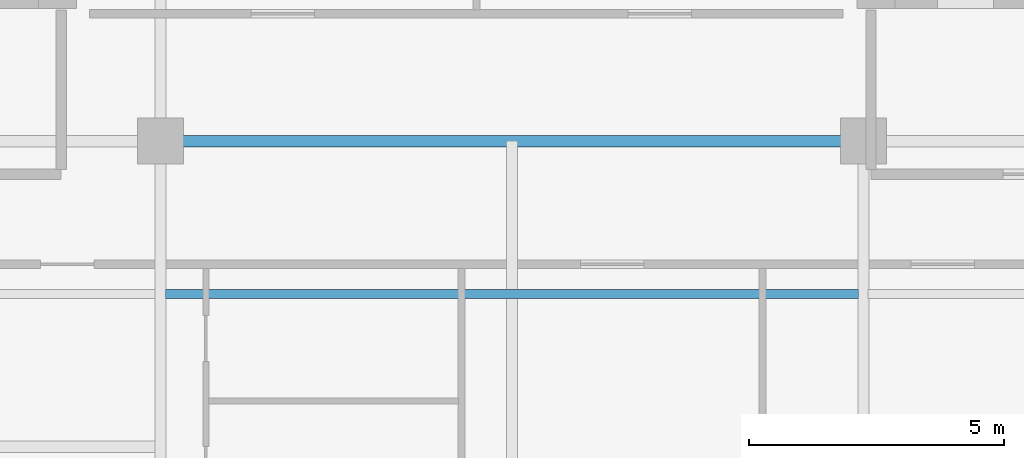
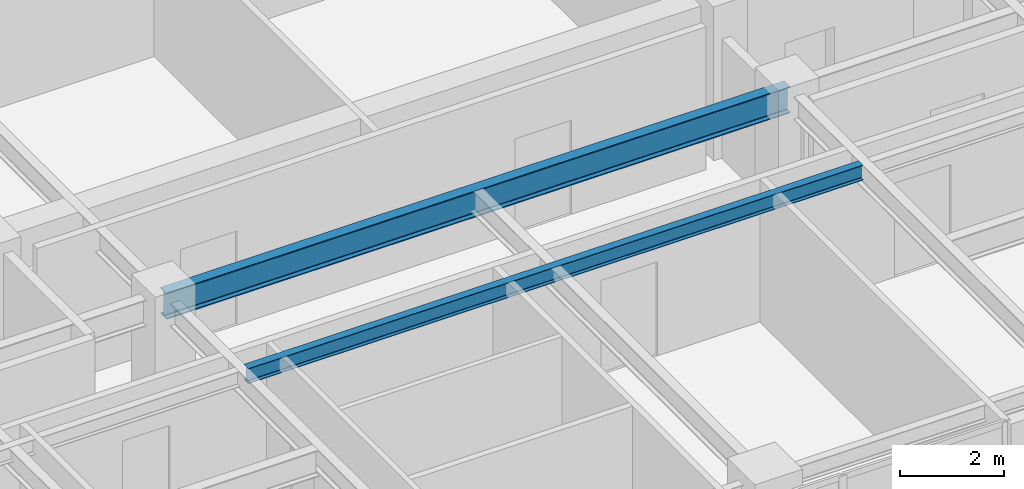
# One storey, part 4 of 21: 2 beams.
"""IFC4 building model written with IfcOpenShell, lengths in metres."""

from ifc_helpers import new_model, si_unit, direction, frame, origin, origin_2d, place, context, subcontext, project, spatial, i_section, extrude, source, transform, mapped, material, material_profile, profile_set, type_object, element, save


model = new_model("IFC4")

# Units and contexts
model_context = context("Model", 3, precision=1e-05, world=origin(), true_north=direction((0.0, 1.0)))
body_context = subcontext(model_context, "Body", "Model", "MODEL_VIEW")
ifc_project = project(units=[si_unit("LENGTHUNIT", "METRE"), si_unit("AREAUNIT", "SQUARE_METRE"), si_unit("VOLUMEUNIT", "CUBIC_METRE"), si_unit("PLANEANGLEUNIT", "RADIAN"), si_unit("MASSUNIT", "GRAM", prefix="KILO")], contexts=[model_context])

# Site, building, storey
site_placement = place(None, origin())
site = spatial("IfcSite", under=ifc_project, at=site_placement, CompositionType="ELEMENT")
building_placement = place(site_placement, origin())
building = spatial("IfcBuilding", under=site, at=building_placement, Name="Khoralis Quay Care Tower", CompositionType="ELEMENT")
storey_placement = place(building_placement, frame((0.0, 0.0, 112.5)))
storey = spatial("IfcBuildingStorey", under=building, at=storey_placement, Name="L29", CompositionType="ELEMENT", Elevation=112.5)

# Beams
ifc_material = material(Name="Steel S355", Category="steel")
ifc_material_profile_1 = material_profile(ifc_material, i_section(OverallWidth=0.22998046875, OverallDepth=0.616943359375, WebThickness=0.01318359375, FlangeThickness=0.022216796875, FilletRadius=0.01806640625, at=origin_2d()), Name="Steel S355")
ifc_profile_set_1 = profile_set([ifc_material_profile_1], Name="Steel S355")
beam_type_1 = type_object("IfcBeamType", Name="BM-W610X140", PredefinedType="BEAM", material=ifc_profile_set_1)
shared_shape_1 = source(origin(), body_context, "Body", "SweptSolid", [
    extrude(i_section(OverallWidth=0.22998046875, OverallDepth=0.616943359375, WebThickness=0.01318359375, FlangeThickness=0.022216796875, FilletRadius=0.01806640625, at=origin_2d()), origin(), (0.0, 0.0, 1.0), 13.7998046875),
])
beam_1_placement = place(storey_placement, frame((17.10009765625, 12.0, 3.031494140625), z_axis=(1.0, 0.0, 0.0), x_axis=(0.0, 1.0, 0.0)))
element("IfcBeam", 1, at=beam_1_placement, inside=storey, type_object=beam_type_1, Name="BM-TGCC-L29-120", PredefinedType="BEAM", context=body_context, shape_type="MappedRepresentation", body=[
    mapped(shared_shape_1, transform((0.0, 0.0, 0.0), scale=1.0)),
])
ifc_material_profile_2 = material_profile(ifc_material, i_section(OverallWidth=0.1708984375, OverallDepth=0.35498046875, WebThickness=0.007080078125, FlangeThickness=0.01171875, FilletRadius=0.012939453125, at=origin_2d()), Name="Steel S355")
ifc_profile_set_2 = profile_set([ifc_material_profile_2], Name="Steel S355")
beam_type_2 = type_object("IfcBeamType", Name="BM-W360X51", PredefinedType="JOIST", material=ifc_profile_set_2)
shared_shape_2 = source(origin(), body_context, "Body", "SweptSolid", [
    extrude(i_section(OverallWidth=0.1708984375, OverallDepth=0.35498046875, WebThickness=0.007080078125, FlangeThickness=0.01171875, FilletRadius=0.012939453125, at=origin_2d()), origin(), (0.0, 0.0, 1.0), 13.61181640625),
])
beam_2_placement = place(storey_placement, frame((17.194091796875, 9.0, 3.16259765625), z_axis=(1.0, 0.0, 0.0), x_axis=(0.0, 1.0, 0.0)))
element("IfcBeam", 2, at=beam_2_placement, inside=storey, type_object=beam_type_2, Name="BM-TJS-L29-27", PredefinedType="JOIST", context=body_context, shape_type="MappedRepresentation", body=[
    mapped(shared_shape_2, transform((0.0, 0.0, 0.0), scale=1.0)),
])

save(model, "model.ifc")
